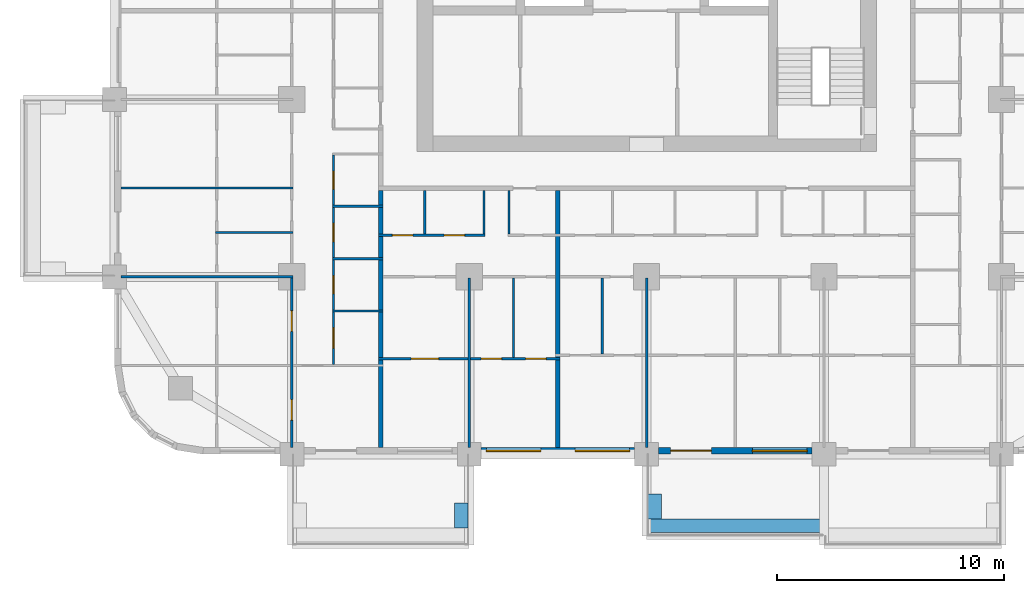
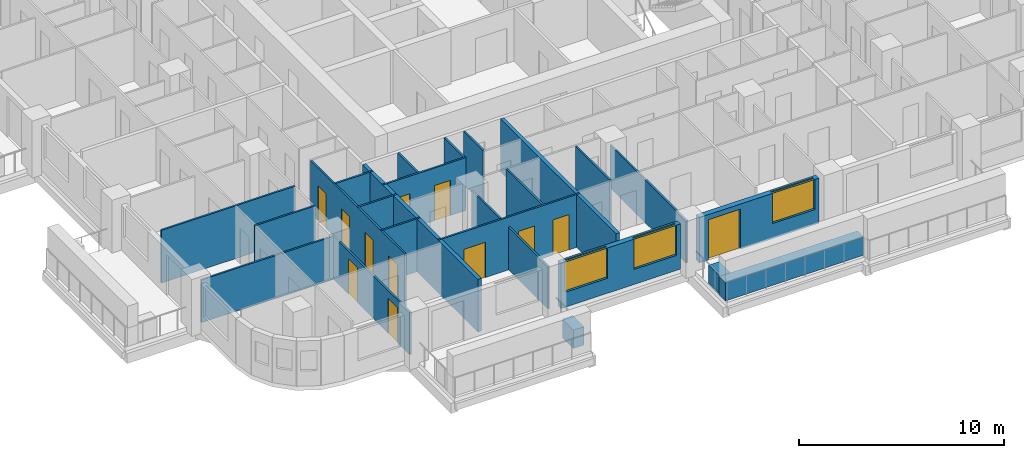
# One storey, part 3 of 18: 24 walls, 12 doors, 3 windows, 15 openings.
"""IFC4 building model written with IfcOpenShell, lengths in metres."""

from ifc_helpers import new_model, si_unit, direction, frame, frame_2d, origin, place, context, subcontext, project, spatial, rectangle, extrude, material, layer, layer_set, type_object, element, fill, save


model = new_model("IFC4")

# Units and contexts
model_context = context("Model", 3, precision=1e-05, world=origin(), true_north=direction((0.0, 1.0)))
body_context = subcontext(model_context, "Body", "Model", "MODEL_VIEW")
ifc_project = project(units=[si_unit("LENGTHUNIT", "METRE"), si_unit("AREAUNIT", "SQUARE_METRE"), si_unit("VOLUMEUNIT", "CUBIC_METRE"), si_unit("PLANEANGLEUNIT", "RADIAN"), si_unit("MASSUNIT", "GRAM", prefix="KILO")], contexts=[model_context])

# Site, building, storey
site_placement = place(None, origin())
site = spatial("IfcSite", under=ifc_project, at=site_placement, CompositionType="ELEMENT")
building_placement = place(site_placement, origin())
building = spatial("IfcBuilding", under=site, at=building_placement, Name="Ludao Terraces", CompositionType="ELEMENT")
storey_placement = place(building_placement, frame((0.0, 0.0, 29.699951171875)))
storey = spatial("IfcBuildingStorey", under=building, at=storey_placement, Name="L07", CompositionType="ELEMENT", Elevation=29.699951171875)

# Walls
ifc_material_1 = material(Name="Concrete C40", Category="concrete")
ifc_layer_1 = layer(ifc_material_1, 0.60009765625)
ifc_layer_set_1 = layer_set([ifc_layer_1], Name="ENV Planter trough 600")
wall_type_1 = type_object("IfcWallType", Name="ENV Planter trough 600", PredefinedType="USERDEFINED", material=ifc_layer_set_1)
wall_1_placement = place(storey_placement, frame((76.85009765625, 38.35009765625, 0.0), z_axis=(0.0, 0.0, 1.0), x_axis=(0.0, 1.0, 0.0)))
element("IfcWall", 1, at=wall_1_placement, inside=storey, type_object=wall_type_1, Name="PL-L07-S1-SB", ObjectType="PLANTER", PredefinedType="USERDEFINED", context=body_context, shape_type="SweptSolid", body=[
    extrude(rectangle(XDim=1.099853515625, YDim=0.60009765625, at=frame_2d((0.5498046875, 0.0))), origin(), (0.0, 0.0, 1.0), 1.10009765625),
])
wall_2_placement = place(storey_placement, frame((85.0, 38.449951171875, 0.0), z_axis=(0.0, 0.0, 1.0), x_axis=(1.0, 0.0, 0.0)))
element("IfcWall", 2, at=wall_2_placement, inside=storey, type_object=wall_type_1, Name="PL-L07-S3", ObjectType="PLANTER", PredefinedType="USERDEFINED", context=body_context, shape_type="SweptSolid", body=[
    extrude(rectangle(XDim=7.800048828125, YDim=0.60009765625, at=frame_2d((3.89990234375, 0.0))), origin(), (0.0, 0.0, 1.0), 1.10009765625),
])
wall_3_placement = place(storey_placement, frame((85.35009765625, 38.75, 0.0), z_axis=(0.0, 0.0, 1.0), x_axis=(0.0, 1.0, 0.0)))
element("IfcWall", 3, at=wall_3_placement, inside=storey, type_object=wall_type_1, Name="PL-L07-S3-SA", ObjectType="PLANTER", PredefinedType="USERDEFINED", context=body_context, shape_type="SweptSolid", body=[
    extrude(rectangle(XDim=1.10009765625, YDim=0.60009765625, at=frame_2d((0.550048828125, 0.0))), origin(), (0.0, 0.0, 1.0), 1.10009765625),
])

# Wall, openings, windows
ifc_material_2 = material(Name="Granite cladding", Category="masonry")
ifc_layer_2 = layer(ifc_material_2, 0.0400390625, Category="stone")
ifc_material_3 = material(Name="Mineral wool")
ifc_layer_3 = layer(ifc_material_3, 0.06005859375)
ifc_layer_4 = layer(ifc_material_1, 0.199951171875, Category="concrete")
ifc_layer_set_2 = layer_set([ifc_layer_2, ifc_layer_3, ifc_layer_4], Name="ENV Stone-clad wall 300")
wall_type_2 = type_object("IfcWallType", Name="ENV Stone-clad wall 300", PredefinedType="SOLIDWALL", material=ifc_layer_set_2)
wall_4_placement = place(storey_placement, frame((77.72509765625, 41.75, 0.0), z_axis=(0.0, 0.0, 1.0), x_axis=(1.0, 0.0, 0.0)))
wall_4 = element("IfcWall", 4, at=wall_4_placement, inside=storey, type_object=wall_type_2, Name="EW-L07-S3", PredefinedType="SOLIDWALL", context=body_context, shape_type="SweptSolid", body=[
    extrude(rectangle(XDim=6.75, YDim=0.300048828125, at=frame_2d((3.375, 0.0))), origin(), (0.0, 0.0, 1.0), 2.699951171875),
])
opening_1_placement = place(wall_4_placement, frame((0.22509765625, 0.0, 0.89990234375)))
opening_1 = element("IfcOpeningElement", 5, at=opening_1_placement, cuts=wall_4, Name="Opening W1", PredefinedType="OPENING", context=body_context, shape_type="SweptSolid", body=[
    extrude(rectangle(XDim=2.39990234375, YDim=1.800048828125, at=frame_2d((1.199951171875, 0.89990234375))), frame((0.0, 0.16015625, 0.0), z_axis=(0.0, -1.0, 0.0), x_axis=(1.0, 0.0, 0.0)), (0.0, 0.0, 1.0), 0.320068359375),
])
opening_2_placement = place(wall_4_placement, frame((4.125, 0.0, 0.89990234375)))
opening_2 = element("IfcOpeningElement", 6, at=opening_2_placement, cuts=wall_4, Name="Opening W1", PredefinedType="OPENING", context=body_context, shape_type="SweptSolid", body=[
    extrude(rectangle(XDim=2.39990234375, YDim=1.800048828125, at=frame_2d((1.199951171875, 0.89990234375))), frame((0.0, 0.16015625, 0.0), z_axis=(0.0, -1.0, 0.0), x_axis=(1.0, 0.0, 0.0)), (0.0, 0.0, 1.0), 0.320068359375),
])
ifc_material_4 = material(Name="Clear glass in aluminium frame", Category="aluminium")
ifc_layer_5 = layer(ifc_material_4, 0.06005859375)
ifc_layer_set_3 = layer_set([ifc_layer_5], Name="ENV Window W1 2400x1800")
window_type = type_object("IfcWindowType", Name="ENV Window W1 2400x1800", PartitioningType="DOUBLE_PANEL_VERTICAL", PredefinedType="WINDOW", material=ifc_layer_set_3)
window_1_placement = place(opening_1_placement, origin())
window_1 = element("IfcWindow", 7, at=window_1_placement, inside=storey, type_object=window_type, Name="W-L07-S3-1", OverallHeight=1.800048828125, OverallWidth=2.39990234375, PartitioningType="DOUBLE_PANEL_VERTICAL", PredefinedType="WINDOW", context=body_context, shape_type="SweptSolid", body=[
    extrude(rectangle(XDim=2.39990234375, YDim=1.800048828125, at=frame_2d((1.199951171875, 0.89990234375))), frame((0.0, 0.030029296875, 0.0), z_axis=(0.0, -1.0, 0.0), x_axis=(1.0, 0.0, 0.0)), (0.0, 0.0, 1.0), 0.06005859375),
])
fill(opening_1, window_1)
window_2_placement = place(opening_2_placement, origin())
window_2 = element("IfcWindow", 8, at=window_2_placement, inside=storey, type_object=window_type, Name="W-L07-S3-2", OverallHeight=1.800048828125, OverallWidth=2.39990234375, PartitioningType="DOUBLE_PANEL_VERTICAL", PredefinedType="WINDOW", context=body_context, shape_type="SweptSolid", body=[
    extrude(rectangle(XDim=2.39990234375, YDim=1.800048828125, at=frame_2d((1.199951171875, 0.89990234375))), frame((0.0, 0.030029296875, 0.0), z_axis=(0.0, -1.0, 0.0), x_axis=(1.0, 0.0, 0.0)), (0.0, 0.0, 1.0), 0.06005859375),
])
fill(opening_2, window_2)

# Wall, openings, door, window
wall_5_placement = place(storey_placement, frame((85.52490234375, 41.75, 0.0), z_axis=(0.0, 0.0, 1.0), x_axis=(1.0, 0.0, 0.0)))
wall_5 = element("IfcWall", 9, at=wall_5_placement, inside=storey, type_object=wall_type_2, Name="EW-L07-S4", PredefinedType="SOLIDWALL", context=body_context, shape_type="SweptSolid", body=[
    extrude(rectangle(XDim=6.75, YDim=0.300048828125, at=frame_2d((3.375, 0.0))), origin(), (0.0, 0.0, 1.0), 2.699951171875),
])
opening_3_placement = place(wall_5_placement, frame((0.52490234375, 0.0, 0.0)))
opening_3 = element("IfcOpeningElement", 10, at=opening_3_placement, cuts=wall_5, Name="Opening BD", PredefinedType="OPENING", context=body_context, shape_type="SweptSolid", body=[
    extrude(rectangle(XDim=1.800048828125, YDim=2.39990234375, at=frame_2d((0.89990234375, 1.199951171875))), frame((0.0, 0.16015625, 0.0), z_axis=(0.0, -1.0, 0.0), x_axis=(1.0, 0.0, 0.0)), (0.0, 0.0, 1.0), 0.320068359375),
])
opening_4_placement = place(wall_5_placement, frame((4.125, 0.0, 0.89990234375)))
opening_4 = element("IfcOpeningElement", 11, at=opening_4_placement, cuts=wall_5, Name="Opening W1", PredefinedType="OPENING", context=body_context, shape_type="SweptSolid", body=[
    extrude(rectangle(XDim=2.39990234375, YDim=1.800048828125, at=frame_2d((1.199951171875, 0.89990234375))), frame((0.0, 0.16015625, 0.0), z_axis=(0.0, -1.0, 0.0), x_axis=(1.0, 0.0, 0.0)), (0.0, 0.0, 1.0), 0.320068359375),
])
ifc_material_5 = material(Name="Aluminium glazed door", Category="aluminium")
ifc_layer_6 = layer(ifc_material_5, 0.06005859375)
ifc_layer_set_4 = layer_set([ifc_layer_6], Name="ENV Balcony door BD 1800x2400")
door_type_1 = type_object("IfcDoorType", Name="ENV Balcony door BD 1800x2400", OperationType="DOUBLE_DOOR_SINGLE_SWING", PredefinedType="DOOR", material=ifc_layer_set_4)
door_1_placement = place(opening_3_placement, origin())
door_1 = element("IfcDoor", 12, at=door_1_placement, inside=storey, type_object=door_type_1, Name="BD-L07-S4-1", OperationType="DOUBLE_DOOR_SINGLE_SWING", OverallHeight=2.39990234375, OverallWidth=1.800048828125, PredefinedType="DOOR", context=body_context, shape_type="SweptSolid", body=[
    extrude(rectangle(XDim=1.800048828125, YDim=2.39990234375, at=frame_2d((0.89990234375, 1.199951171875))), frame((0.0, 0.02490234375, 0.0), z_axis=(0.0, -1.0, 0.0), x_axis=(1.0, 0.0, 0.0)), (0.0, 0.0, 1.0), 0.050048828125),
])
fill(opening_3, door_1)
window_3_placement = place(opening_4_placement, origin())
window_3 = element("IfcWindow", 13, at=window_3_placement, inside=storey, type_object=window_type, Name="W-L07-S4-2", OverallHeight=1.800048828125, OverallWidth=2.39990234375, PartitioningType="DOUBLE_PANEL_VERTICAL", PredefinedType="WINDOW", context=body_context, shape_type="SweptSolid", body=[
    extrude(rectangle(XDim=2.39990234375, YDim=1.800048828125, at=frame_2d((1.199951171875, 0.89990234375))), frame((0.0, 0.030029296875, 0.0), z_axis=(0.0, -1.0, 0.0), x_axis=(1.0, 0.0, 0.0)), (0.0, 0.0, 1.0), 0.06005859375),
])
fill(opening_4, window_3)

# Wall, openings, doors
ifc_material_6 = material(Name="Gypsum plasterboard", Category="gypsum")
ifc_layer_7 = layer(ifc_material_6, 0.012451171875, Category="gypsum")
ifc_layer_8 = layer(ifc_material_3, 0.06005859375, Name="insulation")
ifc_material_7 = material(Name="Steel Q235", Category="steel")
ifc_layer_9 = layer(ifc_material_7, 0.014892578125, Name="stud")
ifc_layer_10 = layer(ifc_material_6, 0.012451171875, Category="gypsum")
ifc_layer_set_5 = layer_set([ifc_layer_7, ifc_layer_8, ifc_layer_9, ifc_layer_10], Name="INT Partition 100")
wall_type_3 = type_object("IfcWallType", Name="INT Partition 100", PredefinedType="PARTITIONING", material=ifc_layer_set_5)
wall_6_placement = place(storey_placement, frame((73.2001953125, 45.800048828125, 0.0), z_axis=(0.0, 0.0, 1.0), x_axis=(1.0, 0.0, 0.0)))
wall_6 = element("IfcWall", 14, at=wall_6_placement, inside=storey, type_object=wall_type_3, Name="PW-L07-PW002", PredefinedType="PARTITIONING", context=body_context, shape_type="SweptSolid", body=[
    extrude(rectangle(XDim=8.0, YDim=0.10009765625, at=frame_2d((4.0, 0.0))), origin(), (0.0, 0.0, 1.0), 3.150146484375),
])
opening_5_placement = place(wall_6_placement, frame((1.449951171875, 0.0, 0.0)))
opening_5 = element("IfcOpeningElement", 15, at=opening_5_placement, cuts=wall_6, Name="Opening R02-007", PredefinedType="OPENING", context=body_context, shape_type="SweptSolid", body=[
    extrude(rectangle(XDim=1.199951171875, YDim=2.10009765625, at=frame_2d((0.60009765625, 1.050048828125))), frame((0.0, 0.06005859375, 0.0), z_axis=(0.0, -1.0, 0.0), x_axis=(1.0, 0.0, 0.0)), (0.0, 0.0, 1.0), 0.1201171875),
])
opening_6_placement = place(wall_6_placement, frame((4.52490234375, 0.0, 0.0)))
opening_6 = element("IfcOpeningElement", 16, at=opening_6_placement, cuts=wall_6, Name="Opening R02-008", PredefinedType="OPENING", context=body_context, shape_type="SweptSolid", body=[
    extrude(rectangle(XDim=0.89990234375, YDim=2.10009765625, at=frame_2d((0.449951171875, 1.050048828125))), frame((0.0, 0.06005859375, 0.0), z_axis=(0.0, -1.0, 0.0), x_axis=(1.0, 0.0, 0.0)), (0.0, 0.0, 1.0), 0.1201171875),
])
opening_7_placement = place(wall_6_placement, frame((6.474853515625, 0.0, 0.0)))
opening_7 = element("IfcOpeningElement", 17, at=opening_7_placement, cuts=wall_6, Name="Opening R02-009", PredefinedType="OPENING", context=body_context, shape_type="SweptSolid", body=[
    extrude(rectangle(XDim=0.89990234375, YDim=2.10009765625, at=frame_2d((0.449951171875, 1.050048828125))), frame((0.0, 0.06005859375, 0.0), z_axis=(0.0, -1.0, 0.0), x_axis=(1.0, 0.0, 0.0)), (0.0, 0.0, 1.0), 0.1201171875),
])
ifc_material_8 = material(Name="Timber door leaf", Category="wood")
door_type_2 = type_object("IfcDoorType", Name="INT Bathroom door 900", OperationType="SINGLE_SWING_LEFT", PredefinedType="DOOR", material=ifc_material_8)
door_2_placement = place(opening_6_placement, origin())
door_2 = element("IfcDoor", 18, at=door_2_placement, inside=storey, type_object=door_type_2, Name="DOOR 008", OperationType="SINGLE_SWING_LEFT", OverallHeight=2.10009765625, OverallWidth=0.89990234375, PredefinedType="DOOR", context=body_context, shape_type="SweptSolid", body=[
    extrude(rectangle(XDim=0.89990234375, YDim=2.10009765625, at=frame_2d((0.449951171875, 1.050048828125))), frame((0.0, 0.02490234375, 0.0), z_axis=(0.0, -1.0, 0.0), x_axis=(1.0, 0.0, 0.0)), (0.0, 0.0, 1.0), 0.050048828125),
])
fill(opening_6, door_2)
door_type_3 = type_object("IfcDoorType", Name="INT Double door 1200", OperationType="DOUBLE_DOOR_SINGLE_SWING", PredefinedType="DOOR", material=ifc_material_8)
door_3_placement = place(opening_5_placement, origin())
door_3 = element("IfcDoor", 19, at=door_3_placement, inside=storey, type_object=door_type_3, Name="DOOR 007", OperationType="DOUBLE_DOOR_SINGLE_SWING", OverallHeight=2.10009765625, OverallWidth=1.199951171875, PredefinedType="DOOR", context=body_context, shape_type="SweptSolid", body=[
    extrude(rectangle(XDim=1.199951171875, YDim=2.10009765625, at=frame_2d((0.60009765625, 1.050048828125))), frame((0.0, 0.02490234375, 0.0), z_axis=(0.0, -1.0, 0.0), x_axis=(1.0, 0.0, 0.0)), (0.0, 0.0, 1.0), 0.050048828125),
])
fill(opening_5, door_3)
door_type_4 = type_object("IfcDoorType", Name="INT Room door 900", OperationType="SINGLE_SWING_LEFT", PredefinedType="DOOR", material=ifc_material_8)
door_4_placement = place(opening_7_placement, origin())
door_4 = element("IfcDoor", 20, at=door_4_placement, inside=storey, type_object=door_type_4, Name="DOOR 009", OperationType="SINGLE_SWING_LEFT", OverallHeight=2.10009765625, OverallWidth=0.89990234375, PredefinedType="DOOR", context=body_context, shape_type="SweptSolid", body=[
    extrude(rectangle(XDim=0.89990234375, YDim=2.10009765625, at=frame_2d((0.449951171875, 1.050048828125))), frame((0.0, 0.02490234375, 0.0), z_axis=(0.0, -1.0, 0.0), x_axis=(1.0, 0.0, 0.0)), (0.0, 0.0, 1.0), 0.050048828125),
])
fill(opening_7, door_4)

# Walls
wall_7_placement = place(storey_placement, frame((71.18017578125, 47.89990234375, 0.0), z_axis=(0.0, 0.0, 1.0), x_axis=(1.0, 0.0, 0.0)))
element("IfcWall", 21, at=wall_7_placement, inside=storey, type_object=wall_type_3, Name="PW-L07-PW005", PredefinedType="PARTITIONING", context=body_context, shape_type="SweptSolid", body=[
    extrude(rectangle(XDim=2.219970703125, YDim=0.10009765625, at=frame_2d((1.10986328125, 0.0))), origin(), (0.0, 0.0, 1.0), 3.150146484375),
])
wall_8_placement = place(storey_placement, frame((61.900146484375, 49.39990234375, 0.0), z_axis=(0.0, 0.0, 1.0), x_axis=(1.0, 0.0, 0.0)))
element("IfcWall", 22, at=wall_8_placement, inside=storey, type_object=wall_type_3, Name="PW-L07-PW006", PredefinedType="PARTITIONING", context=body_context, shape_type="SweptSolid", body=[
    extrude(rectangle(XDim=7.550048828125, YDim=0.10009765625, at=frame_2d((3.77490234375, 0.0))), origin(), (0.0, 0.0, 1.0), 2.550048828125),
])
wall_9_placement = place(storey_placement, frame((71.18017578125, 50.199951171875, 0.0), z_axis=(0.0, 0.0, 1.0), x_axis=(1.0, 0.0, 0.0)))
element("IfcWall", 23, at=wall_9_placement, inside=storey, type_object=wall_type_3, Name="PW-L07-PW010", PredefinedType="PARTITIONING", context=body_context, shape_type="SweptSolid", body=[
    extrude(rectangle(XDim=2.219970703125, YDim=0.10009765625, at=frame_2d((1.10986328125, 0.0))), origin(), (0.0, 0.0, 1.0), 3.150146484375),
])

# Wall, openings, doors
wall_10_placement = place(storey_placement, frame((73.2001953125, 51.22998046875, 0.0), z_axis=(0.0, 0.0, 1.0), x_axis=(1.0, 0.0, 0.0)))
wall_10 = element("IfcWall", 24, at=wall_10_placement, inside=storey, type_object=wall_type_3, Name="PW-L07-PW011", PredefinedType="PARTITIONING", context=body_context, shape_type="SweptSolid", body=[
    extrude(rectangle(XDim=4.699951171875, YDim=0.10009765625, at=frame_2d((2.35009765625, 0.0))), origin(), (0.0, 0.0, 1.0), 3.150146484375),
])
opening_8_placement = place(wall_10_placement, frame((0.625, 0.0, 0.0)))
opening_8 = element("IfcOpeningElement", 25, at=opening_8_placement, cuts=wall_10, Name="Opening R02-033", PredefinedType="OPENING", context=body_context, shape_type="SweptSolid", body=[
    extrude(rectangle(XDim=0.89990234375, YDim=2.10009765625, at=frame_2d((0.449951171875, 1.050048828125))), frame((0.0, 0.06005859375, 0.0), z_axis=(0.0, -1.0, 0.0), x_axis=(1.0, 0.0, 0.0)), (0.0, 0.0, 1.0), 0.1201171875),
])
opening_9_placement = place(wall_10_placement, frame((2.89990234375, 0.0, 0.0)))
opening_9 = element("IfcOpeningElement", 26, at=opening_9_placement, cuts=wall_10, Name="Opening R02-034", PredefinedType="OPENING", context=body_context, shape_type="SweptSolid", body=[
    extrude(rectangle(XDim=0.89990234375, YDim=2.10009765625, at=frame_2d((0.449951171875, 1.050048828125))), frame((0.0, 0.06005859375, 0.0), z_axis=(0.0, -1.0, 0.0), x_axis=(1.0, 0.0, 0.0)), (0.0, 0.0, 1.0), 0.1201171875),
])
door_5_placement = place(opening_8_placement, origin())
door_5 = element("IfcDoor", 27, at=door_5_placement, inside=storey, type_object=door_type_2, Name="DOOR 033", OperationType="SINGLE_SWING_LEFT", OverallHeight=2.10009765625, OverallWidth=0.89990234375, PredefinedType="DOOR", context=body_context, shape_type="SweptSolid", body=[
    extrude(rectangle(XDim=0.89990234375, YDim=2.10009765625, at=frame_2d((0.449951171875, 1.050048828125))), frame((0.0, 0.02490234375, 0.0), z_axis=(0.0, -1.0, 0.0), x_axis=(1.0, 0.0, 0.0)), (0.0, 0.0, 1.0), 0.050048828125),
])
fill(opening_8, door_5)
door_6_placement = place(opening_9_placement, origin())
door_6 = element("IfcDoor", 28, at=door_6_placement, inside=storey, type_object=door_type_4, Name="DOOR 034", OperationType="SINGLE_SWING_RIGHT", OverallHeight=2.10009765625, OverallWidth=0.89990234375, PredefinedType="DOOR", context=body_context, shape_type="SweptSolid", body=[
    extrude(rectangle(XDim=0.89990234375, YDim=2.10009765625, at=frame_2d((0.449951171875, 1.050048828125))), frame((0.0, 0.02490234375, 0.0), z_axis=(0.0, -1.0, 0.0), x_axis=(1.0, 0.0, 0.0)), (0.0, 0.0, 1.0), 0.050048828125),
])
fill(opening_9, door_6)

# Walls
wall_11_placement = place(storey_placement, frame((66.050048828125, 51.35009765625, 0.0), z_axis=(0.0, 0.0, 1.0), x_axis=(1.0, 0.0, 0.0)))
element("IfcWall", 29, at=wall_11_placement, inside=storey, type_object=wall_type_3, Name="PW-L07-PW014", PredefinedType="PARTITIONING", context=body_context, shape_type="SweptSolid", body=[
    extrude(rectangle(XDim=3.400146484375, YDim=0.10009765625, at=frame_2d((1.7001953125, 0.0))), origin(), (0.0, 0.0, 1.0), 3.150146484375),
])
wall_12_placement = place(storey_placement, frame((71.18017578125, 52.5, 0.0), z_axis=(0.0, 0.0, 1.0), x_axis=(1.0, 0.0, 0.0)))
element("IfcWall", 30, at=wall_12_placement, inside=storey, type_object=wall_type_3, Name="PW-L07-PW017", PredefinedType="PARTITIONING", context=body_context, shape_type="SweptSolid", body=[
    extrude(rectangle(XDim=2.219970703125, YDim=0.10009765625, at=frame_2d((1.10986328125, 0.0))), origin(), (0.0, 0.0, 1.0), 3.150146484375),
])
wall_13_placement = place(storey_placement, frame((61.900146484375, 53.300048828125, 0.0), z_axis=(0.0, 0.0, 1.0), x_axis=(1.0, 0.0, 0.0)))
element("IfcWall", 31, at=wall_13_placement, inside=storey, type_object=wall_type_3, Name="PW-L07-PW018", PredefinedType="PARTITIONING", context=body_context, shape_type="SweptSolid", body=[
    extrude(rectangle(XDim=7.550048828125, YDim=0.10009765625, at=frame_2d((3.77490234375, 0.0))), origin(), (0.0, 0.0, 1.0), 3.150146484375),
])

# Wall, openings, doors
wall_14_placement = place(storey_placement, frame((69.39990234375, 41.900146484375, 0.0), z_axis=(0.0, 0.0, 1.0), x_axis=(0.0, 1.0, 0.0)))
wall_14 = element("IfcWall", 32, at=wall_14_placement, inside=storey, type_object=wall_type_3, Name="PW-L07-PW083", PredefinedType="PARTITIONING", context=body_context, shape_type="SweptSolid", body=[
    extrude(rectangle(XDim=7.499755859375, YDim=0.10009765625, at=frame_2d((3.75, 0.0))), origin(), (0.0, 0.0, 1.0), 2.550048828125),
])
opening_10_placement = place(wall_14_placement, frame((1.199951171875, 0.0, 0.0)))
opening_10 = element("IfcOpeningElement", 33, at=opening_10_placement, cuts=wall_14, Name="Opening R02-002", PredefinedType="OPENING", context=body_context, shape_type="SweptSolid", body=[
    extrude(rectangle(XDim=0.89990234375, YDim=2.10009765625, at=frame_2d((0.449951171875, 1.050048828125))), frame((0.0, 0.06005859375, 0.0), z_axis=(0.0, -1.0, 0.0), x_axis=(1.0, 0.0, 0.0)), (0.0, 0.0, 1.0), 0.1201171875),
])
opening_11_placement = place(wall_14_placement, frame((5.10009765625, 0.0, 0.0)))
opening_11 = element("IfcOpeningElement", 34, at=opening_11_placement, cuts=wall_14, Name="Opening R02-019", PredefinedType="OPENING", context=body_context, shape_type="SweptSolid", body=[
    extrude(rectangle(XDim=0.89990234375, YDim=2.10009765625, at=frame_2d((0.449951171875, 1.050048828125))), frame((0.0, 0.06005859375, 0.0), z_axis=(0.0, -1.0, 0.0), x_axis=(1.0, 0.0, 0.0)), (0.0, 0.0, 1.0), 0.1201171875),
])
door_7_placement = place(opening_10_placement, origin())
door_7 = element("IfcDoor", 35, at=door_7_placement, inside=storey, type_object=door_type_4, Name="DOOR 002", OperationType="SINGLE_SWING_LEFT", OverallHeight=2.10009765625, OverallWidth=0.89990234375, PredefinedType="DOOR", context=body_context, shape_type="SweptSolid", body=[
    extrude(rectangle(XDim=0.89990234375, YDim=2.10009765625, at=frame_2d((0.449951171875, 1.050048828125))), frame((0.0, 0.02490234375, 0.0), z_axis=(0.0, -1.0, 0.0), x_axis=(1.0, 0.0, 0.0)), (0.0, 0.0, 1.0), 0.050048828125),
])
fill(opening_10, door_7)
door_8_placement = place(opening_11_placement, origin())
door_8 = element("IfcDoor", 36, at=door_8_placement, inside=storey, type_object=door_type_4, Name="DOOR 019", OperationType="SINGLE_SWING_LEFT", OverallHeight=2.10009765625, OverallWidth=0.89990234375, PredefinedType="DOOR", context=body_context, shape_type="SweptSolid", body=[
    extrude(rectangle(XDim=0.89990234375, YDim=2.10009765625, at=frame_2d((0.449951171875, 1.050048828125))), frame((0.0, 0.02490234375, 0.0), z_axis=(0.0, -1.0, 0.0), x_axis=(1.0, 0.0, 0.0)), (0.0, 0.0, 1.0), 0.050048828125),
])
fill(opening_11, door_8)

wall_15_placement = place(storey_placement, frame((71.22998046875, 45.550048828125, 0.0), z_axis=(0.0, 0.0, 1.0), x_axis=(0.0, 1.0, 0.0)))
wall_15 = element("IfcWall", 37, at=wall_15_placement, inside=storey, type_object=wall_type_3, Name="PW-L07-PW084", PredefinedType="PARTITIONING", context=body_context, shape_type="SweptSolid", body=[
    extrude(rectangle(XDim=9.199951171875, YDim=0.10009765625, at=frame_2d((4.60009765625, 0.0))), origin(), (0.0, 0.0, 1.0), 3.150146484375),
])
opening_12_placement = place(wall_15_placement, frame((0.699951171875, 0.0, 0.0)))
opening_12 = element("IfcOpeningElement", 38, at=opening_12_placement, cuts=wall_15, Name="Opening R02-017", PredefinedType="OPENING", context=body_context, shape_type="SweptSolid", body=[
    extrude(rectangle(XDim=0.89990234375, YDim=2.10009765625, at=frame_2d((0.449951171875, 1.050048828125))), frame((0.0, 0.06005859375, 0.0), z_axis=(0.0, -1.0, 0.0), x_axis=(1.0, 0.0, 0.0)), (0.0, 0.0, 1.0), 0.1201171875),
])
opening_13_placement = place(wall_15_placement, frame((3.10009765625, 0.0, 0.0)))
opening_13 = element("IfcOpeningElement", 39, at=opening_13_placement, cuts=wall_15, Name="Opening R02-023", PredefinedType="OPENING", context=body_context, shape_type="SweptSolid", body=[
    extrude(rectangle(XDim=0.800048828125, YDim=2.10009765625, at=frame_2d((0.39990234375, 1.050048828125))), frame((0.0, 0.06005859375, 0.0), z_axis=(0.0, -1.0, 0.0), x_axis=(1.0, 0.0, 0.0)), (0.0, 0.0, 1.0), 0.1201171875),
])
opening_14_placement = place(wall_15_placement, frame((5.39990234375, 0.0, 0.0)))
opening_14 = element("IfcOpeningElement", 40, at=opening_14_placement, cuts=wall_15, Name="Opening R02-042", PredefinedType="OPENING", context=body_context, shape_type="SweptSolid", body=[
    extrude(rectangle(XDim=0.800048828125, YDim=2.10009765625, at=frame_2d((0.39990234375, 1.050048828125))), frame((0.0, 0.06005859375, 0.0), z_axis=(0.0, -1.0, 0.0), x_axis=(1.0, 0.0, 0.0)), (0.0, 0.0, 1.0), 0.1201171875),
])
opening_15_placement = place(wall_15_placement, frame((7.699951171875, 0.0, 0.0)))
opening_15 = element("IfcOpeningElement", 41, at=opening_15_placement, cuts=wall_15, Name="Opening R02-050", PredefinedType="OPENING", context=body_context, shape_type="SweptSolid", body=[
    extrude(rectangle(XDim=0.800048828125, YDim=2.10009765625, at=frame_2d((0.39990234375, 1.050048828125))), frame((0.0, 0.06005859375, 0.0), z_axis=(0.0, -1.0, 0.0), x_axis=(1.0, 0.0, 0.0)), (0.0, 0.0, 1.0), 0.1201171875),
])
door_9_placement = place(opening_12_placement, origin())
door_9 = element("IfcDoor", 42, at=door_9_placement, inside=storey, type_object=door_type_2, Name="DOOR 017", OperationType="SINGLE_SWING_LEFT", OverallHeight=2.10009765625, OverallWidth=0.89990234375, PredefinedType="DOOR", context=body_context, shape_type="SweptSolid", body=[
    extrude(rectangle(XDim=0.89990234375, YDim=2.10009765625, at=frame_2d((0.449951171875, 1.050048828125))), frame((0.0, 0.02490234375, 0.0), z_axis=(0.0, -1.0, 0.0), x_axis=(1.0, 0.0, 0.0)), (0.0, 0.0, 1.0), 0.050048828125),
])
fill(opening_12, door_9)
door_type_5 = type_object("IfcDoorType", Name="INT Store door 800", OperationType="SINGLE_SWING_LEFT", PredefinedType="DOOR", material=ifc_material_8)
door_10_placement = place(opening_13_placement, origin())
door_10 = element("IfcDoor", 43, at=door_10_placement, inside=storey, type_object=door_type_5, Name="DOOR 023", OperationType="SINGLE_SWING_RIGHT", OverallHeight=2.10009765625, OverallWidth=0.800048828125, PredefinedType="DOOR", context=body_context, shape_type="SweptSolid", body=[
    extrude(rectangle(XDim=0.800048828125, YDim=2.10009765625, at=frame_2d((0.39990234375, 1.050048828125))), frame((0.0, 0.02490234375, 0.0), z_axis=(0.0, -1.0, 0.0), x_axis=(1.0, 0.0, 0.0)), (0.0, 0.0, 1.0), 0.050048828125),
])
fill(opening_13, door_10)
door_11_placement = place(opening_14_placement, origin())
door_11 = element("IfcDoor", 44, at=door_11_placement, inside=storey, type_object=door_type_5, Name="DOOR 042", OperationType="SINGLE_SWING_LEFT", OverallHeight=2.10009765625, OverallWidth=0.800048828125, PredefinedType="DOOR", context=body_context, shape_type="SweptSolid", body=[
    extrude(rectangle(XDim=0.800048828125, YDim=2.10009765625, at=frame_2d((0.39990234375, 1.050048828125))), frame((0.0, 0.02490234375, 0.0), z_axis=(0.0, -1.0, 0.0), x_axis=(1.0, 0.0, 0.0)), (0.0, 0.0, 1.0), 0.050048828125),
])
fill(opening_14, door_11)
door_12_placement = place(opening_15_placement, origin())
door_12 = element("IfcDoor", 45, at=door_12_placement, inside=storey, type_object=door_type_5, Name="DOOR 050", OperationType="SINGLE_SWING_RIGHT", OverallHeight=2.10009765625, OverallWidth=0.800048828125, PredefinedType="DOOR", context=body_context, shape_type="SweptSolid", body=[
    extrude(rectangle(XDim=0.800048828125, YDim=2.10009765625, at=frame_2d((0.39990234375, 1.050048828125))), frame((0.0, 0.02490234375, 0.0), z_axis=(0.0, -1.0, 0.0), x_axis=(1.0, 0.0, 0.0)), (0.0, 0.0, 1.0), 0.050048828125),
])
fill(opening_15, door_12)

# Walls
wall_16_placement = place(storey_placement, frame((75.25, 51.280029296875, 0.0), z_axis=(0.0, 0.0, 1.0), x_axis=(0.0, 1.0, 0.0)))
element("IfcWall", 46, at=wall_16_placement, inside=storey, type_object=wall_type_3, Name="PW-L07-PW091", PredefinedType="PARTITIONING", context=body_context, shape_type="SweptSolid", body=[
    extrude(rectangle(XDim=1.920166015625, YDim=0.10009765625, at=frame_2d((0.9599609375, 0.0))), origin(), (0.0, 0.0, 1.0), 3.150146484375),
])
wall_17_placement = place(storey_placement, frame((77.199951171875, 41.900146484375, 0.0), z_axis=(0.0, 0.0, 1.0), x_axis=(0.0, 1.0, 0.0)))
element("IfcWall", 47, at=wall_17_placement, inside=storey, type_object=wall_type_3, Name="PW-L07-PW092", PredefinedType="PARTITIONING", context=body_context, shape_type="SweptSolid", body=[
    extrude(rectangle(XDim=7.449951171875, YDim=0.10009765625, at=frame_2d((3.72509765625, 0.0))), origin(), (0.0, 0.0, 1.0), 2.550048828125),
])
for number, where, z_axis, x_axis, name in (
    (48, (77.85009765625, 51.280029296875, 0.0), (0.0, 0.0, 1.0), (0.0, 1.0, 0.0), "PW-L07-PW094"),
    (49, (78.949951171875, 51.280029296875, 0.0), (0.0, 0.0, 1.0), (0.0, 1.0, 0.0), "PW-L07-PW095"),
):
    element("IfcWall", number, at=place(storey_placement, frame(where, z_axis=z_axis, x_axis=x_axis)), inside=storey, type_object=wall_type_3, Name=name, PredefinedType="PARTITIONING", context=body_context, shape_type="SweptSolid", body=[
        extrude(rectangle(XDim=1.920166015625, YDim=0.10009765625, at=frame_2d((0.9599609375, 0.0))), origin(), (0.0, 0.0, 1.0), 3.150146484375),
    ])
wall_18_placement = place(storey_placement, frame((79.14990234375, 45.85009765625, 0.0), z_axis=(0.0, 0.0, 1.0), x_axis=(0.0, 1.0, 0.0)))
element("IfcWall", 50, at=wall_18_placement, inside=storey, type_object=wall_type_3, Name="PW-L07-PW096", PredefinedType="PARTITIONING", context=body_context, shape_type="SweptSolid", body=[
    extrude(rectangle(XDim=3.5, YDim=0.10009765625, at=frame_2d((1.75, 0.0))), origin(), (0.0, 0.0, 1.0), 3.150146484375),
])
wall_19_placement = place(storey_placement, frame((83.050048828125, 46.0, 0.0), z_axis=(0.0, 0.0, 1.0), x_axis=(0.0, 1.0, 0.0)))
element("IfcWall", 51, at=wall_19_placement, inside=storey, type_object=wall_type_3, Name="PW-L07-PW100", PredefinedType="PARTITIONING", context=body_context, shape_type="SweptSolid", body=[
    extrude(rectangle(XDim=3.35009765625, YDim=0.10009765625, at=frame_2d((1.675048828125, 0.0))), origin(), (0.0, 0.0, 1.0), 3.150146484375),
])
wall_20_placement = place(storey_placement, frame((85.0, 41.900146484375, 0.0), z_axis=(0.0, 0.0, 1.0), x_axis=(0.0, 1.0, 0.0)))
element("IfcWall", 52, at=wall_20_placement, inside=storey, type_object=wall_type_3, Name="PW-L07-PW102", PredefinedType="PARTITIONING", context=body_context, shape_type="SweptSolid", body=[
    extrude(rectangle(XDim=7.449951171875, YDim=0.10009765625, at=frame_2d((3.72509765625, 0.0))), origin(), (0.0, 0.0, 1.0), 2.550048828125),
])
ifc_material_9 = material(Name="Autoclaved aerated concrete block B06 A3.5", Category="concrete")
ifc_layer_11 = layer(ifc_material_9, 0.199951171875)
ifc_layer_set_6 = layer_set([ifc_layer_11], Name="INT Party wall 200")
wall_type_4 = type_object("IfcWallType", Name="INT Party wall 200", PredefinedType="PARTITIONING", material=ifc_layer_set_6)
for number, where, z_axis, x_axis, name in (
    (53, (73.300048828125, 41.900146484375, 0.0), (0.0, 0.0, 1.0), (0.0, 1.0, 0.0), "PW-L07-PW088"),
    (54, (81.10009765625, 41.900146484375, 0.0), (0.0, 0.0, 1.0), (0.0, 1.0, 0.0), "PW-L07-PW098"),
):
    element("IfcWall", number, at=place(storey_placement, frame(where, z_axis=z_axis, x_axis=x_axis)), inside=storey, type_object=wall_type_4, Name=name, PredefinedType="PARTITIONING", context=body_context, shape_type="SweptSolid", body=[
        extrude(rectangle(XDim=11.300048828125, YDim=0.199951171875, at=frame_2d((5.64990234375, 0.0))), origin(), (0.0, 0.0, 1.0), 3.150146484375),
    ])

save(model, "model.ifc")
